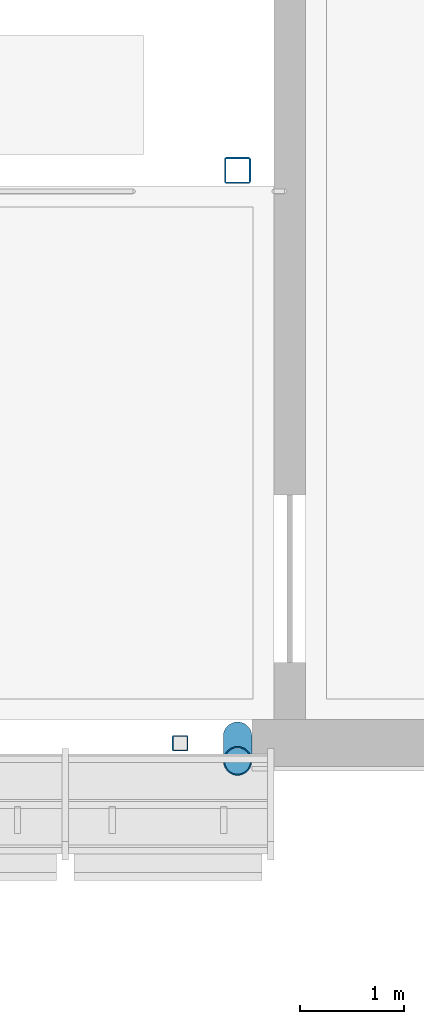
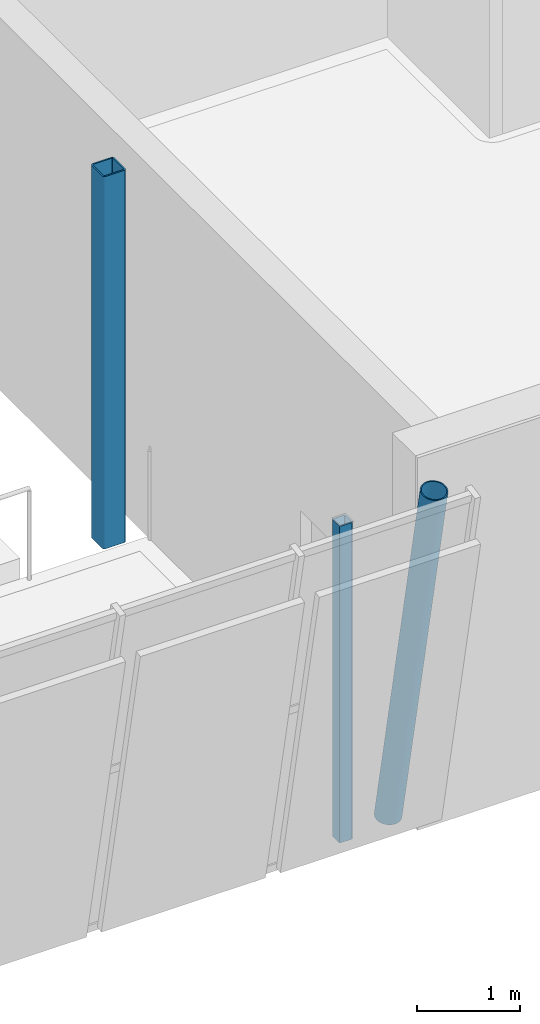
# One storey, part 19 of 115: 3 columns.
"""IFC4 building model written with IfcOpenShell, lengths in metres."""

from ifc_helpers import new_model, si_unit, direction, frame, origin, origin_2d, place, context, subcontext, project, spatial, hollow_rectangle, hollow_circle, extrude, material, material_profile, profile_set, type_object, element, save


model = new_model("IFC4")

# Units and contexts
model_context = context("Model", 3, precision=1e-05, world=origin(), true_north=direction((0.0, 1.0)))
body_context = subcontext(model_context, "Body", "Model", "MODEL_VIEW")
ifc_project = project(units=[si_unit("LENGTHUNIT", "METRE"), si_unit("AREAUNIT", "SQUARE_METRE"), si_unit("VOLUMEUNIT", "CUBIC_METRE"), si_unit("PLANEANGLEUNIT", "RADIAN"), si_unit("MASSUNIT", "GRAM", prefix="KILO")], contexts=[model_context])

# Site, building, storey
site_placement = place(None, origin())
site = spatial("IfcSite", under=ifc_project, at=site_placement, CompositionType="ELEMENT")
building_placement = place(site_placement, origin())
building = spatial("IfcBuilding", under=site, at=building_placement, Name="Windward Yard Aquatics Centre", CompositionType="ELEMENT")
storey_placement = place(building_placement, frame((0.0, 0.0, 5.0)))
storey = spatial("IfcBuildingStorey", under=building, at=storey_placement, Name="L01", CompositionType="ELEMENT", Elevation=5.0)

# Columns
ifc_material = material(Name="Steel ASTM A500 Gr C", Category="steel")
ifc_material_profile_1 = material_profile(ifc_material, hollow_rectangle(XDim=0.15234375, YDim=0.15234375, WallThickness=0.0126953125, InnerFilletRadius=0.00634765625, OuterFilletRadius=0.01904296875, at=origin_2d()), Name="HSS152X152X12.7")
ifc_profile_set_1 = profile_set([ifc_material_profile_1], Name="Steel ASTM A500 Gr C")
column_type_1 = type_object("IfcColumnType", Name="H gallery column HSS152X152X12.7", PredefinedType="COLUMN", material=ifc_profile_set_1)
column_1_placement = place(storey_placement, frame((139.10009765625, 26.22509765625, 0.0), z_axis=(0.0, 0.0, 1.0), x_axis=(1.0, 0.0, 0.0)))
element("IfcColumn", 1, at=column_1_placement, inside=storey, type_object=column_type_1, Name="H.GC.S8.L01", PredefinedType="COLUMN", context=body_context, shape_type="SweptSolid", body=[
    extrude(hollow_rectangle(XDim=0.15234375, YDim=0.15234375, WallThickness=0.0126953125, InnerFilletRadius=0.00634765625, OuterFilletRadius=0.01904296875, at=origin_2d()), origin(), (0.0, 0.0, 1.0), 3.742919921875),
])
ifc_material_profile_2 = material_profile(ifc_material, hollow_rectangle(XDim=0.25390625, YDim=0.25390625, WallThickness=0.015869140625, InnerFilletRadius=0.008056640625, OuterFilletRadius=0.02392578125, at=origin_2d()), Name="HSS254X254X15.9")
ifc_profile_set_2 = profile_set([ifc_material_profile_2], Name="Steel ASTM A500 Gr C")
column_type_2 = type_object("IfcColumnType", Name="H inner column HSS254X254X15.9", PredefinedType="COLUMN", material=ifc_profile_set_2)
column_2_placement = place(storey_placement, frame((139.64990234375, 31.709716796875, 0.0), z_axis=(0.0, 0.0, 1.0), x_axis=(1.0, 0.0, 0.0)))
element("IfcColumn", 2, at=column_2_placement, inside=storey, type_object=column_type_2, Name="H.IC.S8.L01", PredefinedType="COLUMN", context=body_context, shape_type="SweptSolid", body=[
    extrude(hollow_rectangle(XDim=0.25390625, YDim=0.25390625, WallThickness=0.015869140625, InnerFilletRadius=0.008056640625, OuterFilletRadius=0.02392578125, at=origin_2d()), origin(), (0.0, 0.0, 1.0), 4.39990234375),
])
ifc_material_profile_3 = material_profile(ifc_material, hollow_circle(Radius=0.136474609375, WallThickness=0.0126953125, at=origin_2d()), Name="HSS273.1X12.7")
ifc_profile_set_3 = profile_set([ifc_material_profile_3], Name="Steel ASTM A500 Gr C")
column_type_3 = type_object("IfcColumnType", Name="H tier 1 leg HSS273.1X12.7", PredefinedType="COLUMN", material=ifc_profile_set_3)
column_3_placement = place(storey_placement, frame((139.64990234375, 26.29443359375, 0.02734375), z_axis=(0.0, -0.19937683017, 0.979922894717), x_axis=(1.0, 0.0, 0.0)))
element("IfcColumn", 3, at=column_3_placement, inside=storey, type_object=column_type_3, Name="H.TL.S8.T1A.L01", PredefinedType="COLUMN", context=body_context, shape_type="SweptSolid", body=[
    extrude(hollow_circle(Radius=0.136474609375, WallThickness=0.0126953125, at=origin_2d()), origin(), (0.0, 0.0, 1.0), 4.462158203125),
])

save(model, "model.ifc")
